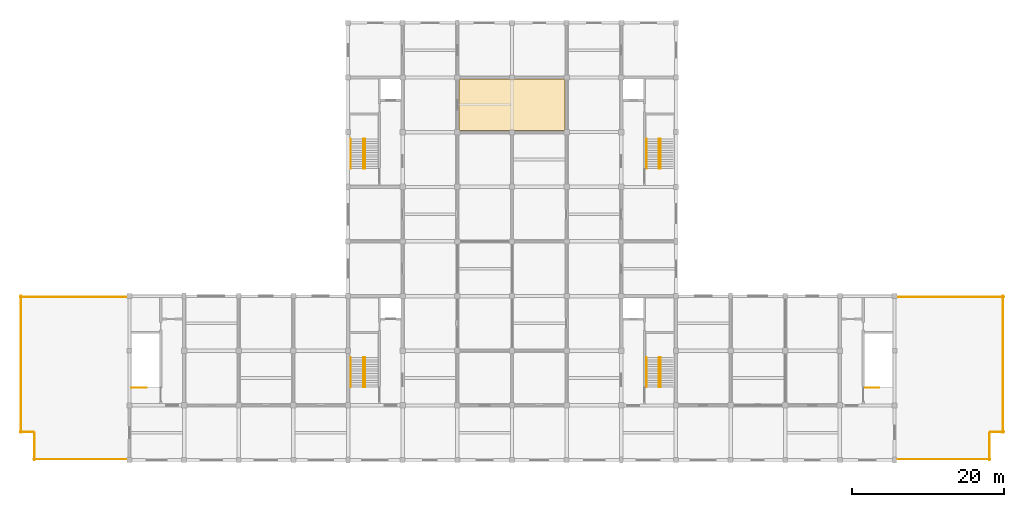
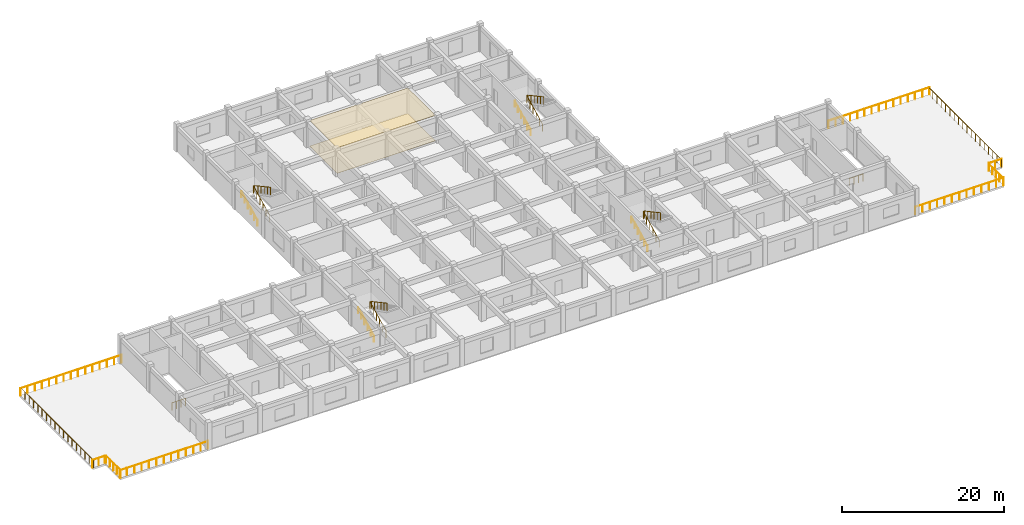
# One storey, part 10 of 10: 20 railings, 2 coverings.
"""IFC4 building model written with IfcOpenShell, lengths in metres."""

from ifc_helpers import new_model, si_unit, direction, frame, origin, origin_2d, place, context, subcontext, project, spatial, polyline, circle, outline, extrude, material, layer, layer_set, type_object, element, save


model = new_model("IFC4")

# Units and contexts
model_context = context("Model", 3, precision=1e-05, world=origin(), true_north=direction((0.0, 1.0)))
body_context = subcontext(model_context, "Body", "Model", "MODEL_VIEW")
ifc_project = project(units=[si_unit("LENGTHUNIT", "METRE"), si_unit("AREAUNIT", "SQUARE_METRE"), si_unit("VOLUMEUNIT", "CUBIC_METRE"), si_unit("PLANEANGLEUNIT", "RADIAN"), si_unit("MASSUNIT", "GRAM", prefix="KILO")], contexts=[model_context])

# Site, building, storey
site_placement = place(None, origin())
site = spatial("IfcSite", under=ifc_project, at=site_placement, CompositionType="ELEMENT")
building_placement = place(site_placement, origin())
building = spatial("IfcBuilding", under=site, at=building_placement, Name="Cendaluz Park School", CompositionType="ELEMENT")
storey_placement = place(building_placement, frame((0.0, 0.0, 30.60009765625)))
storey = spatial("IfcBuildingStorey", under=building, at=storey_placement, Name="L07", CompositionType="ELEMENT", Elevation=30.60009765625)

# Coverings
ifc_material_1 = material(Name="Mineral Fibre Acoustic Tile")
ifc_layer_1 = layer(ifc_material_1, 0.030029296875)
ifc_layer_set_1 = layer_set([ifc_layer_1], Name="Mineral Fibre Acoustic Tile")
covering_type_1 = type_object("IfcCoveringType", Name="CV-CLG01", PredefinedType="CEILING", material=ifc_layer_set_1)
covering_1_placement = place(storey_placement, frame((0.0, 0.0, 3.849853515625)))
element("IfcCovering", 1, at=covering_1_placement, inside=storey, type_object=covering_type_1, Name="CV-CLG-L07-01", PredefinedType="CEILING", context=body_context, shape_type="SweptSolid", body=[
    extrude(outline(polyline([(79.39990234375, 50.60009765625), (93.39990234375, 50.60009765625), (93.39990234375, 57.39990234375), (79.39990234375, 57.39990234375), (79.39990234375, 50.60009765625)])), origin(), (0.0, 0.0, 1.0), 0.030029296875),
])
ifc_material_2 = material(Name="Polished Terrazzo Tile")
ifc_layer_2 = layer(ifc_material_2, 0.02001953125)
ifc_layer_set_2 = layer_set([ifc_layer_2], Name="Polished Terrazzo Tile")
covering_type_2 = type_object("IfcCoveringType", Name="CV-FLR01", PredefinedType="FLOORING", material=ifc_layer_set_2)
covering_2_placement = place(storey_placement, origin())
element("IfcCovering", 2, at=covering_2_placement, inside=storey, type_object=covering_type_2, Name="CV-FLR-L07-01", PredefinedType="FLOORING", context=body_context, shape_type="SweptSolid", body=[
    extrude(outline(polyline([(79.39990234375, 50.60009765625), (93.39990234375, 50.60009765625), (93.39990234375, 57.39990234375), (79.39990234375, 57.39990234375), (79.39990234375, 50.60009765625)])), origin(), (0.0, 0.0, 1.0), 0.02001953125),
])

# Railings
ifc_material_3 = material(Name="Wrought Iron")
railing_type_1 = type_object("IfcRailingType", Name="GR-PD01", PredefinedType="BALUSTRADE", material=ifc_material_3)
railing_1_placement = place(storey_placement, frame((21.60009765625, 28.699951171875, 0.0)))
element("IfcRailing", 3, at=railing_1_placement, inside=storey, type_object=railing_type_1, Name="GR-PD-L07-011", PredefinedType="BALUSTRADE", context=body_context, shape_type="SweptSolid", body=[
    extrude(circle(Radius=0.02392578125, at=origin_2d()), frame((0.0, 0.0, 1.1259765625), z_axis=(1.0, 0.0, 0.0), x_axis=(0.0, 1.0, 0.0)), (0.0, 0.0, 1.0), 14.39990234375),
    extrude(circle(Radius=0.02099609375, at=origin_2d()), origin(), (0.0, 0.0, 1.0), 1.101806640625),
    extrude(circle(Radius=0.02099609375, at=origin_2d()), frame((1.028564453125, 0.0, 0.0)), (0.0, 0.0, 1.0), 1.101806640625),
    extrude(circle(Radius=0.02099609375, at=origin_2d()), frame((2.05712890625, 0.0, 0.0)), (0.0, 0.0, 1.0), 1.101806640625),
    extrude(circle(Radius=0.02099609375, at=origin_2d()), frame((3.085693359375, 0.0, 0.0)), (0.0, 0.0, 1.0), 1.101806640625),
    extrude(circle(Radius=0.02099609375, at=origin_2d()), frame((4.1142578125, 0.0, 0.0)), (0.0, 0.0, 1.0), 1.101806640625),
    extrude(circle(Radius=0.02099609375, at=origin_2d()), frame((5.142822265625, 0.0, 0.0)), (0.0, 0.0, 1.0), 1.101806640625),
    extrude(circle(Radius=0.02099609375, at=origin_2d()), frame((6.17138671875, 0.0, 0.0)), (0.0, 0.0, 1.0), 1.101806640625),
    extrude(circle(Radius=0.02099609375, at=origin_2d()), frame((7.199951171875, 0.0, 0.0)), (0.0, 0.0, 1.0), 1.101806640625),
    extrude(circle(Radius=0.02099609375, at=origin_2d()), frame((8.228515625, 0.0, 0.0)), (0.0, 0.0, 1.0), 1.101806640625),
    extrude(circle(Radius=0.02099609375, at=origin_2d()), frame((9.257080078125, 0.0, 0.0)), (0.0, 0.0, 1.0), 1.101806640625),
    extrude(circle(Radius=0.02099609375, at=origin_2d()), frame((10.28564453125, 0.0, 0.0)), (0.0, 0.0, 1.0), 1.101806640625),
    extrude(circle(Radius=0.02099609375, at=origin_2d()), frame((11.314208984375, 0.0, 0.0)), (0.0, 0.0, 1.0), 1.101806640625),
    extrude(circle(Radius=0.02099609375, at=origin_2d()), frame((12.3427734375, 0.0, 0.0)), (0.0, 0.0, 1.0), 1.101806640625),
    extrude(circle(Radius=0.02099609375, at=origin_2d()), frame((13.371337890625, 0.0, 0.0)), (0.0, 0.0, 1.0), 1.101806640625),
    extrude(circle(Radius=0.02099609375, at=origin_2d()), frame((14.39990234375, 0.0, 0.0)), (0.0, 0.0, 1.0), 1.101806640625),
])
railing_2_placement = place(storey_placement, frame((36.0, 7.300048828125, 0.0)))
element("IfcRailing", 4, at=railing_2_placement, inside=storey, type_object=railing_type_1, Name="GR-PD-L07-012", PredefinedType="BALUSTRADE", context=body_context, shape_type="SweptSolid", body=[
    extrude(circle(Radius=0.02392578125, at=origin_2d()), frame((0.0, 0.0, 1.1259765625), z_axis=(-1.0, 0.0, 0.0), x_axis=(0.0, -1.0, 0.0)), (0.0, 0.0, 1.0), 12.60009765625),
    extrude(circle(Radius=0.02099609375, at=origin_2d()), origin(), (0.0, 0.0, 1.0), 1.101806640625),
    extrude(circle(Radius=0.02099609375, at=origin_2d()), frame((-1.050048828125, 0.0, 0.0)), (0.0, 0.0, 1.0), 1.101806640625),
    extrude(circle(Radius=0.02099609375, at=origin_2d()), frame((-2.10009765625, 0.0, 0.0)), (0.0, 0.0, 1.0), 1.101806640625),
    extrude(circle(Radius=0.02099609375, at=origin_2d()), frame((-3.14990234375, 0.0, 0.0)), (0.0, 0.0, 1.0), 1.101806640625),
    extrude(circle(Radius=0.02099609375, at=origin_2d()), frame((-4.199951171875, 0.0, 0.0)), (0.0, 0.0, 1.0), 1.101806640625),
    extrude(circle(Radius=0.02099609375, at=origin_2d()), frame((-5.25, 0.0, 0.0)), (0.0, 0.0, 1.0), 1.101806640625),
    extrude(circle(Radius=0.02099609375, at=origin_2d()), frame((-6.300048828125, 0.0, 0.0)), (0.0, 0.0, 1.0), 1.101806640625),
    extrude(circle(Radius=0.02099609375, at=origin_2d()), frame((-7.35009765625, 0.0, 0.0)), (0.0, 0.0, 1.0), 1.101806640625),
    extrude(circle(Radius=0.02099609375, at=origin_2d()), frame((-8.400146484375, 0.0, 0.0)), (0.0, 0.0, 1.0), 1.101806640625),
    extrude(circle(Radius=0.02099609375, at=origin_2d()), frame((-9.4501953125, 0.0, 0.0)), (0.0, 0.0, 1.0), 1.101806640625),
    extrude(circle(Radius=0.02099609375, at=origin_2d()), frame((-10.5, 0.0, 0.0)), (0.0, 0.0, 1.0), 1.101806640625),
    extrude(circle(Radius=0.02099609375, at=origin_2d()), frame((-11.550048828125, 0.0, 0.0)), (0.0, 0.0, 1.0), 1.101806640625),
    extrude(circle(Radius=0.02099609375, at=origin_2d()), frame((-12.60009765625, 0.0, 0.0)), (0.0, 0.0, 1.0), 1.101806640625),
])
railing_3_placement = place(storey_placement, frame((23.5, 7.199951171875, 0.0)))
element("IfcRailing", 5, at=railing_3_placement, inside=storey, type_object=railing_type_1, Name="GR-PD-L07-013", PredefinedType="BALUSTRADE", context=body_context, shape_type="SweptSolid", body=[
    extrude(circle(Radius=0.02392578125, at=origin_2d()), frame((0.0, 0.0, 1.1259765625), z_axis=(0.0, 1.0, 0.0), x_axis=(-1.0, 0.0, 0.0)), (0.0, 0.0, 1.0), 3.60009765625),
    extrude(circle(Radius=0.02099609375, at=origin_2d()), origin(), (0.0, 0.0, 1.0), 1.101806640625),
    extrude(circle(Radius=0.02099609375, at=origin_2d()), frame((0.0, 0.89990234375, 0.0)), (0.0, 0.0, 1.0), 1.101806640625),
    extrude(circle(Radius=0.02099609375, at=origin_2d()), frame((0.0, 1.800048828125, 0.0)), (0.0, 0.0, 1.0), 1.101806640625),
    extrude(circle(Radius=0.02099609375, at=origin_2d()), frame((0.0, 2.7001953125, 0.0)), (0.0, 0.0, 1.0), 1.101806640625),
    extrude(circle(Radius=0.02099609375, at=origin_2d()), frame((0.0, 3.60009765625, 0.0)), (0.0, 0.0, 1.0), 1.101806640625),
])
railing_4_placement = place(storey_placement, frame((23.39990234375, 10.89990234375, 0.0)))
element("IfcRailing", 6, at=railing_4_placement, inside=storey, type_object=railing_type_1, Name="GR-PD-L07-014", PredefinedType="BALUSTRADE", context=body_context, shape_type="SweptSolid", body=[
    extrude(circle(Radius=0.02392578125, at=origin_2d()), frame((0.0, 0.0, 1.1259765625), z_axis=(-1.0, 0.0, 0.0), x_axis=(0.0, -1.0, 0.0)), (0.0, 0.0, 1.0), 1.7998046875),
    extrude(circle(Radius=0.02099609375, at=origin_2d()), origin(), (0.0, 0.0, 1.0), 1.101806640625),
    extrude(circle(Radius=0.02099609375, at=origin_2d()), frame((-0.89990234375, 0.0, 0.0)), (0.0, 0.0, 1.0), 1.101806640625),
    extrude(circle(Radius=0.02099609375, at=origin_2d()), frame((-1.7998046875, 0.0, 0.0)), (0.0, 0.0, 1.0), 1.101806640625),
])
railing_5_placement = place(storey_placement, frame((21.699951171875, 10.800048828125, 0.0)))
element("IfcRailing", 7, at=railing_5_placement, inside=storey, type_object=railing_type_1, Name="GR-PD-L07-015", PredefinedType="BALUSTRADE", context=body_context, shape_type="SweptSolid", body=[
    extrude(circle(Radius=0.02392578125, at=origin_2d()), frame((0.0, 0.0, 1.1259765625), z_axis=(0.0, 1.0, 0.0), x_axis=(-1.0, 0.0, 0.0)), (0.0, 0.0, 1.0), 18.0),
    extrude(circle(Radius=0.02099609375, at=origin_2d()), origin(), (0.0, 0.0, 1.0), 1.101806640625),
    extrude(circle(Radius=0.02099609375, at=origin_2d()), frame((0.0, 1.058837890625, 0.0)), (0.0, 0.0, 1.0), 1.101806640625),
    extrude(circle(Radius=0.02099609375, at=origin_2d()), frame((0.0, 2.11767578125, 0.0)), (0.0, 0.0, 1.0), 1.101806640625),
    extrude(circle(Radius=0.02099609375, at=origin_2d()), frame((0.0, 3.176513671875, 0.0)), (0.0, 0.0, 1.0), 1.101806640625),
    extrude(circle(Radius=0.02099609375, at=origin_2d()), frame((0.0, 4.2353515625, 0.0)), (0.0, 0.0, 1.0), 1.101806640625),
    extrude(circle(Radius=0.02099609375, at=origin_2d()), frame((0.0, 5.294189453125, 0.0)), (0.0, 0.0, 1.0), 1.101806640625),
    extrude(circle(Radius=0.02099609375, at=origin_2d()), frame((0.0, 6.35302734375, 0.0)), (0.0, 0.0, 1.0), 1.101806640625),
    extrude(circle(Radius=0.02099609375, at=origin_2d()), frame((0.0, 7.411865234375, 0.0)), (0.0, 0.0, 1.0), 1.101806640625),
    extrude(circle(Radius=0.02099609375, at=origin_2d()), frame((0.0, 8.470703125, 0.0)), (0.0, 0.0, 1.0), 1.101806640625),
    extrude(circle(Radius=0.02099609375, at=origin_2d()), frame((0.0, 9.529296875, 0.0)), (0.0, 0.0, 1.0), 1.101806640625),
    extrude(circle(Radius=0.02099609375, at=origin_2d()), frame((0.0, 10.588134765625, 0.0)), (0.0, 0.0, 1.0), 1.101806640625),
    extrude(circle(Radius=0.02099609375, at=origin_2d()), frame((0.0, 11.64697265625, 0.0)), (0.0, 0.0, 1.0), 1.101806640625),
    extrude(circle(Radius=0.02099609375, at=origin_2d()), frame((0.0, 12.705810546875, 0.0)), (0.0, 0.0, 1.0), 1.101806640625),
    extrude(circle(Radius=0.02099609375, at=origin_2d()), frame((0.0, 13.7646484375, 0.0)), (0.0, 0.0, 1.0), 1.101806640625),
    extrude(circle(Radius=0.02099609375, at=origin_2d()), frame((0.0, 14.823486328125, 0.0)), (0.0, 0.0, 1.0), 1.101806640625),
    extrude(circle(Radius=0.02099609375, at=origin_2d()), frame((0.0, 15.88232421875, 0.0)), (0.0, 0.0, 1.0), 1.101806640625),
    extrude(circle(Radius=0.02099609375, at=origin_2d()), frame((0.0, 16.941162109375, 0.0)), (0.0, 0.0, 1.0), 1.101806640625),
    extrude(circle(Radius=0.02099609375, at=origin_2d()), frame((0.0, 18.0, 0.0)), (0.0, 0.0, 1.0), 1.101806640625),
])
railing_6_placement = place(storey_placement, frame((136.800048828125, 28.699951171875, 0.0)))
element("IfcRailing", 8, at=railing_6_placement, inside=storey, type_object=railing_type_1, Name="GR-PD-L07-016", PredefinedType="BALUSTRADE", context=body_context, shape_type="SweptSolid", body=[
    extrude(circle(Radius=0.02392578125, at=origin_2d()), frame((0.0, 0.0, 1.1259765625), z_axis=(1.0, 0.0, 0.0), x_axis=(0.0, 1.0, 0.0)), (0.0, 0.0, 1.0), 14.39990234375),
    extrude(circle(Radius=0.02099609375, at=origin_2d()), origin(), (0.0, 0.0, 1.0), 1.101806640625),
    extrude(circle(Radius=0.02099609375, at=origin_2d()), frame((1.028564453125, 0.0, 0.0)), (0.0, 0.0, 1.0), 1.101806640625),
    extrude(circle(Radius=0.02099609375, at=origin_2d()), frame((2.05712890625, 0.0, 0.0)), (0.0, 0.0, 1.0), 1.101806640625),
    extrude(circle(Radius=0.02099609375, at=origin_2d()), frame((3.085693359375, 0.0, 0.0)), (0.0, 0.0, 1.0), 1.101806640625),
    extrude(circle(Radius=0.02099609375, at=origin_2d()), frame((4.1142578125, 0.0, 0.0)), (0.0, 0.0, 1.0), 1.101806640625),
    extrude(circle(Radius=0.02099609375, at=origin_2d()), frame((5.142822265625, 0.0, 0.0)), (0.0, 0.0, 1.0), 1.101806640625),
    extrude(circle(Radius=0.02099609375, at=origin_2d()), frame((6.17138671875, 0.0, 0.0)), (0.0, 0.0, 1.0), 1.101806640625),
    extrude(circle(Radius=0.02099609375, at=origin_2d()), frame((7.199951171875, 0.0, 0.0)), (0.0, 0.0, 1.0), 1.101806640625),
    extrude(circle(Radius=0.02099609375, at=origin_2d()), frame((8.228515625, 0.0, 0.0)), (0.0, 0.0, 1.0), 1.101806640625),
    extrude(circle(Radius=0.02099609375, at=origin_2d()), frame((9.257080078125, 0.0, 0.0)), (0.0, 0.0, 1.0), 1.101806640625),
    extrude(circle(Radius=0.02099609375, at=origin_2d()), frame((10.28564453125, 0.0, 0.0)), (0.0, 0.0, 1.0), 1.101806640625),
    extrude(circle(Radius=0.02099609375, at=origin_2d()), frame((11.314208984375, 0.0, 0.0)), (0.0, 0.0, 1.0), 1.101806640625),
    extrude(circle(Radius=0.02099609375, at=origin_2d()), frame((12.3427734375, 0.0, 0.0)), (0.0, 0.0, 1.0), 1.101806640625),
    extrude(circle(Radius=0.02099609375, at=origin_2d()), frame((13.371337890625, 0.0, 0.0)), (0.0, 0.0, 1.0), 1.101806640625),
    extrude(circle(Radius=0.02099609375, at=origin_2d()), frame((14.39990234375, 0.0, 0.0)), (0.0, 0.0, 1.0), 1.101806640625),
])
railing_7_placement = place(storey_placement, frame((151.10009765625, 28.800048828125, 0.0)))
element("IfcRailing", 9, at=railing_7_placement, inside=storey, type_object=railing_type_1, Name="GR-PD-L07-017", PredefinedType="BALUSTRADE", context=body_context, shape_type="SweptSolid", body=[
    extrude(circle(Radius=0.02392578125, at=origin_2d()), frame((0.0, 0.0, 1.1259765625), z_axis=(0.0, -1.0, 0.0), x_axis=(1.0, 0.0, 0.0)), (0.0, 0.0, 1.0), 18.0),
    extrude(circle(Radius=0.02099609375, at=origin_2d()), origin(), (0.0, 0.0, 1.0), 1.101806640625),
    extrude(circle(Radius=0.02099609375, at=origin_2d()), frame((0.0, -1.058837890625, 0.0)), (0.0, 0.0, 1.0), 1.101806640625),
    extrude(circle(Radius=0.02099609375, at=origin_2d()), frame((0.0, -2.11767578125, 0.0)), (0.0, 0.0, 1.0), 1.101806640625),
    extrude(circle(Radius=0.02099609375, at=origin_2d()), frame((0.0, -3.176513671875, 0.0)), (0.0, 0.0, 1.0), 1.101806640625),
    extrude(circle(Radius=0.02099609375, at=origin_2d()), frame((0.0, -4.2353515625, 0.0)), (0.0, 0.0, 1.0), 1.101806640625),
    extrude(circle(Radius=0.02099609375, at=origin_2d()), frame((0.0, -5.294189453125, 0.0)), (0.0, 0.0, 1.0), 1.101806640625),
    extrude(circle(Radius=0.02099609375, at=origin_2d()), frame((0.0, -6.35302734375, 0.0)), (0.0, 0.0, 1.0), 1.101806640625),
    extrude(circle(Radius=0.02099609375, at=origin_2d()), frame((0.0, -7.411865234375, 0.0)), (0.0, 0.0, 1.0), 1.101806640625),
    extrude(circle(Radius=0.02099609375, at=origin_2d()), frame((0.0, -8.470703125, 0.0)), (0.0, 0.0, 1.0), 1.101806640625),
    extrude(circle(Radius=0.02099609375, at=origin_2d()), frame((0.0, -9.529296875, 0.0)), (0.0, 0.0, 1.0), 1.101806640625),
    extrude(circle(Radius=0.02099609375, at=origin_2d()), frame((0.0, -10.588134765625, 0.0)), (0.0, 0.0, 1.0), 1.101806640625),
    extrude(circle(Radius=0.02099609375, at=origin_2d()), frame((0.0, -11.64697265625, 0.0)), (0.0, 0.0, 1.0), 1.101806640625),
    extrude(circle(Radius=0.02099609375, at=origin_2d()), frame((0.0, -12.705810546875, 0.0)), (0.0, 0.0, 1.0), 1.101806640625),
    extrude(circle(Radius=0.02099609375, at=origin_2d()), frame((0.0, -13.7646484375, 0.0)), (0.0, 0.0, 1.0), 1.101806640625),
    extrude(circle(Radius=0.02099609375, at=origin_2d()), frame((0.0, -14.823486328125, 0.0)), (0.0, 0.0, 1.0), 1.101806640625),
    extrude(circle(Radius=0.02099609375, at=origin_2d()), frame((0.0, -15.88232421875, 0.0)), (0.0, 0.0, 1.0), 1.101806640625),
    extrude(circle(Radius=0.02099609375, at=origin_2d()), frame((0.0, -16.941162109375, 0.0)), (0.0, 0.0, 1.0), 1.101806640625),
    extrude(circle(Radius=0.02099609375, at=origin_2d()), frame((0.0, -18.0, 0.0)), (0.0, 0.0, 1.0), 1.101806640625),
])
railing_8_placement = place(storey_placement, frame((151.199951171875, 10.89990234375, 0.0)))
element("IfcRailing", 10, at=railing_8_placement, inside=storey, type_object=railing_type_1, Name="GR-PD-L07-018", PredefinedType="BALUSTRADE", context=body_context, shape_type="SweptSolid", body=[
    extrude(circle(Radius=0.02392578125, at=origin_2d()), frame((0.0, 0.0, 1.1259765625), z_axis=(-1.0, 0.0, 0.0), x_axis=(0.0, -1.0, 0.0)), (0.0, 0.0, 1.0), 1.800048828125),
    extrude(circle(Radius=0.02099609375, at=origin_2d()), origin(), (0.0, 0.0, 1.0), 1.101806640625),
    extrude(circle(Radius=0.02099609375, at=origin_2d()), frame((-0.89990234375, 0.0, 0.0)), (0.0, 0.0, 1.0), 1.101806640625),
    extrude(circle(Radius=0.02099609375, at=origin_2d()), frame((-1.800048828125, 0.0, 0.0)), (0.0, 0.0, 1.0), 1.101806640625),
])
railing_9_placement = place(storey_placement, frame((149.300048828125, 10.800048828125, 0.0)))
element("IfcRailing", 11, at=railing_9_placement, inside=storey, type_object=railing_type_1, Name="GR-PD-L07-019", PredefinedType="BALUSTRADE", context=body_context, shape_type="SweptSolid", body=[
    extrude(circle(Radius=0.02392578125, at=origin_2d()), frame((0.0, 0.0, 1.1259765625), z_axis=(0.0, -1.0, 0.0), x_axis=(1.0, 0.0, 0.0)), (0.0, 0.0, 1.0), 3.60009765625),
    extrude(circle(Radius=0.02099609375, at=origin_2d()), origin(), (0.0, 0.0, 1.0), 1.101806640625),
    extrude(circle(Radius=0.02099609375, at=origin_2d()), frame((0.0, -0.89990234375, 0.0)), (0.0, 0.0, 1.0), 1.101806640625),
    extrude(circle(Radius=0.02099609375, at=origin_2d()), frame((0.0, -1.800048828125, 0.0)), (0.0, 0.0, 1.0), 1.101806640625),
    extrude(circle(Radius=0.02099609375, at=origin_2d()), frame((0.0, -2.7001953125, 0.0)), (0.0, 0.0, 1.0), 1.101806640625),
    extrude(circle(Radius=0.02099609375, at=origin_2d()), frame((0.0, -3.60009765625, 0.0)), (0.0, 0.0, 1.0), 1.101806640625),
])
railing_10_placement = place(storey_placement, frame((149.39990234375, 7.300048828125, 0.0)))
element("IfcRailing", 12, at=railing_10_placement, inside=storey, type_object=railing_type_1, Name="GR-PD-L07-020", PredefinedType="BALUSTRADE", context=body_context, shape_type="SweptSolid", body=[
    extrude(circle(Radius=0.02392578125, at=origin_2d()), frame((0.0, 0.0, 1.1259765625), z_axis=(-1.0, 0.0, 0.0), x_axis=(0.0, -1.0, 0.0)), (0.0, 0.0, 1.0), 12.599853515625),
    extrude(circle(Radius=0.02099609375, at=origin_2d()), origin(), (0.0, 0.0, 1.0), 1.101806640625),
    extrude(circle(Radius=0.02099609375, at=origin_2d()), frame((-1.050048828125, 0.0, 0.0)), (0.0, 0.0, 1.0), 1.101806640625),
    extrude(circle(Radius=0.02099609375, at=origin_2d()), frame((-2.10009765625, 0.0, 0.0)), (0.0, 0.0, 1.0), 1.101806640625),
    extrude(circle(Radius=0.02099609375, at=origin_2d()), frame((-3.14990234375, 0.0, 0.0)), (0.0, 0.0, 1.0), 1.101806640625),
    extrude(circle(Radius=0.02099609375, at=origin_2d()), frame((-4.199951171875, 0.0, 0.0)), (0.0, 0.0, 1.0), 1.101806640625),
    extrude(circle(Radius=0.02099609375, at=origin_2d()), frame((-5.25, 0.0, 0.0)), (0.0, 0.0, 1.0), 1.101806640625),
    extrude(circle(Radius=0.02099609375, at=origin_2d()), frame((-6.2998046875, 0.0, 0.0)), (0.0, 0.0, 1.0), 1.101806640625),
    extrude(circle(Radius=0.02099609375, at=origin_2d()), frame((-7.349853515625, 0.0, 0.0)), (0.0, 0.0, 1.0), 1.101806640625),
    extrude(circle(Radius=0.02099609375, at=origin_2d()), frame((-8.39990234375, 0.0, 0.0)), (0.0, 0.0, 1.0), 1.101806640625),
    extrude(circle(Radius=0.02099609375, at=origin_2d()), frame((-9.449951171875, 0.0, 0.0)), (0.0, 0.0, 1.0), 1.101806640625),
    extrude(circle(Radius=0.02099609375, at=origin_2d()), frame((-10.5, 0.0, 0.0)), (0.0, 0.0, 1.0), 1.101806640625),
    extrude(circle(Radius=0.02099609375, at=origin_2d()), frame((-11.5498046875, 0.0, 0.0)), (0.0, 0.0, 1.0), 1.101806640625),
    extrude(circle(Radius=0.02099609375, at=origin_2d()), frame((-12.599853515625, 0.0, 0.0)), (0.0, 0.0, 1.0), 1.101806640625),
])
railing_type_2 = type_object("IfcRailingType", Name="GR-ST01", PredefinedType="BALUSTRADE", material=ifc_material_3)
railing_11_placement = place(storey_placement, frame((66.840087890625, 16.800048828125, 0.14990234375)))
element("IfcRailing", 13, at=railing_11_placement, inside=storey, type_object=railing_type_2, Name="GR-ST-017", PredefinedType="BALUSTRADE", context=body_context, shape_type="SweptSolid", body=[
    extrude(circle(Radius=0.02392578125, at=origin_2d()), frame((0.0, 0.0, 1.076171875), z_axis=(0.0, 0.894427191, 0.4472135955), x_axis=(-1.0, 0.0, 0.0)), (0.0, 0.0, 1.0), 4.360107421875),
    extrude(circle(Radius=0.02392578125, at=origin_2d()), frame((0.0, 3.89990234375, 3.02587890625), z_axis=(1.0, 0.0, 0.0), x_axis=(0.0, 1.0, 0.0)), (0.0, 0.0, 1.0), 0.169921875),
    extrude(circle(Radius=0.02392578125, at=origin_2d()), frame((0.169921875, 3.89990234375, 3.02587890625), z_axis=(0.0, -0.880456940745, 0.474126117709), x_axis=(1.0, 0.0, 0.0)), (0.0, 0.0, 1.0), 4.429443359375),
    extrude(circle(Radius=0.02099609375, at=origin_2d()), origin(), (0.0, 0.0, 1.0), 1.052001953125),
    extrude(circle(Radius=0.02099609375, at=origin_2d()), frame((0.0, 0.780029296875, 0.389892578125)), (0.0, 0.0, 1.0), 1.052001953125),
    extrude(circle(Radius=0.02099609375, at=origin_2d()), frame((0.0, 1.56005859375, 0.780029296875)), (0.0, 0.0, 1.0), 1.052001953125),
    extrude(circle(Radius=0.02099609375, at=origin_2d()), frame((0.0, 2.33984375, 1.169921875)), (0.0, 0.0, 1.0), 1.052001953125),
    extrude(circle(Radius=0.02099609375, at=origin_2d()), frame((0.0, 3.119873046875, 1.56005859375)), (0.0, 0.0, 1.0), 1.052001953125),
    extrude(circle(Radius=0.02099609375, at=origin_2d()), frame((0.0, 3.89990234375, 1.949951171875)), (0.0, 0.0, 1.0), 1.052001953125),
    extrude(circle(Radius=0.02099609375, at=origin_2d()), frame((0.169921875, 3.89990234375, 1.949951171875)), (0.0, 0.0, 1.0), 1.052001953125),
    extrude(circle(Radius=0.02099609375, at=origin_2d()), frame((0.169921875, 3.119873046875, 2.369873046875)), (0.0, 0.0, 1.0), 1.052001953125),
    extrude(circle(Radius=0.02099609375, at=origin_2d()), frame((0.169921875, 2.33984375, 2.7900390625)), (0.0, 0.0, 1.0), 1.052001953125),
    extrude(circle(Radius=0.02099609375, at=origin_2d()), frame((0.169921875, 1.56005859375, 3.2099609375)), (0.0, 0.0, 1.0), 1.052001953125),
    extrude(circle(Radius=0.02099609375, at=origin_2d()), frame((0.169921875, 0.780029296875, 3.630126953125)), (0.0, 0.0, 1.0), 1.052001953125),
    extrude(circle(Radius=0.02099609375, at=origin_2d()), frame((0.169921875, 0.0, 4.050048828125)), (0.0, 0.0, 1.0), 1.052001953125),
])
railing_12_placement = place(storey_placement, frame((105.7900390625, 16.800048828125, 0.14990234375)))
element("IfcRailing", 14, at=railing_12_placement, inside=storey, type_object=railing_type_2, Name="GR-ST-052", PredefinedType="BALUSTRADE", context=body_context, shape_type="SweptSolid", body=[
    extrude(circle(Radius=0.02392578125, at=origin_2d()), frame((0.0, 0.0, 1.076171875), z_axis=(0.0, 0.894427191, 0.4472135955), x_axis=(-1.0, 0.0, 0.0)), (0.0, 0.0, 1.0), 4.360107421875),
    extrude(circle(Radius=0.02392578125, at=origin_2d()), frame((0.0, 3.89990234375, 3.02587890625), z_axis=(1.0, 0.0, 0.0), x_axis=(0.0, 1.0, 0.0)), (0.0, 0.0, 1.0), 0.169921875),
    extrude(circle(Radius=0.02392578125, at=origin_2d()), frame((0.169921875, 3.89990234375, 3.02587890625), z_axis=(0.0, -0.880456940745, 0.474126117709), x_axis=(1.0, 0.0, 0.0)), (0.0, 0.0, 1.0), 4.429443359375),
    extrude(circle(Radius=0.02099609375, at=origin_2d()), origin(), (0.0, 0.0, 1.0), 1.052001953125),
    extrude(circle(Radius=0.02099609375, at=origin_2d()), frame((0.0, 0.780029296875, 0.389892578125)), (0.0, 0.0, 1.0), 1.052001953125),
    extrude(circle(Radius=0.02099609375, at=origin_2d()), frame((0.0, 1.56005859375, 0.780029296875)), (0.0, 0.0, 1.0), 1.052001953125),
    extrude(circle(Radius=0.02099609375, at=origin_2d()), frame((0.0, 2.33984375, 1.169921875)), (0.0, 0.0, 1.0), 1.052001953125),
    extrude(circle(Radius=0.02099609375, at=origin_2d()), frame((0.0, 3.119873046875, 1.56005859375)), (0.0, 0.0, 1.0), 1.052001953125),
    extrude(circle(Radius=0.02099609375, at=origin_2d()), frame((0.0, 3.89990234375, 1.949951171875)), (0.0, 0.0, 1.0), 1.052001953125),
    extrude(circle(Radius=0.02099609375, at=origin_2d()), frame((0.169921875, 3.89990234375, 1.949951171875)), (0.0, 0.0, 1.0), 1.052001953125),
    extrude(circle(Radius=0.02099609375, at=origin_2d()), frame((0.169921875, 3.119873046875, 2.369873046875)), (0.0, 0.0, 1.0), 1.052001953125),
    extrude(circle(Radius=0.02099609375, at=origin_2d()), frame((0.169921875, 2.33984375, 2.7900390625)), (0.0, 0.0, 1.0), 1.052001953125),
    extrude(circle(Radius=0.02099609375, at=origin_2d()), frame((0.169921875, 1.56005859375, 3.2099609375)), (0.0, 0.0, 1.0), 1.052001953125),
    extrude(circle(Radius=0.02099609375, at=origin_2d()), frame((0.169921875, 0.780029296875, 3.630126953125)), (0.0, 0.0, 1.0), 1.052001953125),
    extrude(circle(Radius=0.02099609375, at=origin_2d()), frame((0.169921875, 0.0, 4.050048828125)), (0.0, 0.0, 1.0), 1.052001953125),
])
railing_13_placement = place(storey_placement, frame((66.840087890625, 45.60009765625, 0.14990234375)))
element("IfcRailing", 15, at=railing_13_placement, inside=storey, type_object=railing_type_2, Name="GR-ST-087", PredefinedType="BALUSTRADE", context=body_context, shape_type="SweptSolid", body=[
    extrude(circle(Radius=0.02392578125, at=origin_2d()), frame((0.0, 0.0, 1.076171875), z_axis=(0.0, 0.894427191, 0.4472135955), x_axis=(-1.0, 0.0, 0.0)), (0.0, 0.0, 1.0), 4.360107421875),
    extrude(circle(Radius=0.02392578125, at=origin_2d()), frame((0.0, 3.89990234375, 3.02587890625), z_axis=(1.0, 0.0, 0.0), x_axis=(0.0, 1.0, 0.0)), (0.0, 0.0, 1.0), 0.169921875),
    extrude(circle(Radius=0.02392578125, at=origin_2d()), frame((0.169921875, 3.89990234375, 3.02587890625), z_axis=(0.0, -0.880456940745, 0.474126117709), x_axis=(1.0, 0.0, 0.0)), (0.0, 0.0, 1.0), 4.429443359375),
    extrude(circle(Radius=0.02099609375, at=origin_2d()), origin(), (0.0, 0.0, 1.0), 1.052001953125),
    extrude(circle(Radius=0.02099609375, at=origin_2d()), frame((0.0, 0.780029296875, 0.389892578125)), (0.0, 0.0, 1.0), 1.052001953125),
    extrude(circle(Radius=0.02099609375, at=origin_2d()), frame((0.0, 1.56005859375, 0.780029296875)), (0.0, 0.0, 1.0), 1.052001953125),
    extrude(circle(Radius=0.02099609375, at=origin_2d()), frame((0.0, 2.33984375, 1.169921875)), (0.0, 0.0, 1.0), 1.052001953125),
    extrude(circle(Radius=0.02099609375, at=origin_2d()), frame((0.0, 3.119873046875, 1.56005859375)), (0.0, 0.0, 1.0), 1.052001953125),
    extrude(circle(Radius=0.02099609375, at=origin_2d()), frame((0.0, 3.89990234375, 1.949951171875)), (0.0, 0.0, 1.0), 1.052001953125),
    extrude(circle(Radius=0.02099609375, at=origin_2d()), frame((0.169921875, 3.89990234375, 1.949951171875)), (0.0, 0.0, 1.0), 1.052001953125),
    extrude(circle(Radius=0.02099609375, at=origin_2d()), frame((0.169921875, 3.119873046875, 2.369873046875)), (0.0, 0.0, 1.0), 1.052001953125),
    extrude(circle(Radius=0.02099609375, at=origin_2d()), frame((0.169921875, 2.33984375, 2.7900390625)), (0.0, 0.0, 1.0), 1.052001953125),
    extrude(circle(Radius=0.02099609375, at=origin_2d()), frame((0.169921875, 1.56005859375, 3.2099609375)), (0.0, 0.0, 1.0), 1.052001953125),
    extrude(circle(Radius=0.02099609375, at=origin_2d()), frame((0.169921875, 0.780029296875, 3.630126953125)), (0.0, 0.0, 1.0), 1.052001953125),
    extrude(circle(Radius=0.02099609375, at=origin_2d()), frame((0.169921875, 0.0, 4.050048828125)), (0.0, 0.0, 1.0), 1.052001953125),
])
railing_14_placement = place(storey_placement, frame((105.7900390625, 45.60009765625, 0.14990234375)))
element("IfcRailing", 16, at=railing_14_placement, inside=storey, type_object=railing_type_2, Name="GR-ST-122", PredefinedType="BALUSTRADE", context=body_context, shape_type="SweptSolid", body=[
    extrude(circle(Radius=0.02392578125, at=origin_2d()), frame((0.0, 0.0, 1.076171875), z_axis=(0.0, 0.894427191, 0.4472135955), x_axis=(-1.0, 0.0, 0.0)), (0.0, 0.0, 1.0), 4.360107421875),
    extrude(circle(Radius=0.02392578125, at=origin_2d()), frame((0.0, 3.89990234375, 3.02587890625), z_axis=(1.0, 0.0, 0.0), x_axis=(0.0, 1.0, 0.0)), (0.0, 0.0, 1.0), 0.169921875),
    extrude(circle(Radius=0.02392578125, at=origin_2d()), frame((0.169921875, 3.89990234375, 3.02587890625), z_axis=(0.0, -0.880456940745, 0.474126117709), x_axis=(1.0, 0.0, 0.0)), (0.0, 0.0, 1.0), 4.429443359375),
    extrude(circle(Radius=0.02099609375, at=origin_2d()), origin(), (0.0, 0.0, 1.0), 1.052001953125),
    extrude(circle(Radius=0.02099609375, at=origin_2d()), frame((0.0, 0.780029296875, 0.389892578125)), (0.0, 0.0, 1.0), 1.052001953125),
    extrude(circle(Radius=0.02099609375, at=origin_2d()), frame((0.0, 1.56005859375, 0.780029296875)), (0.0, 0.0, 1.0), 1.052001953125),
    extrude(circle(Radius=0.02099609375, at=origin_2d()), frame((0.0, 2.33984375, 1.169921875)), (0.0, 0.0, 1.0), 1.052001953125),
    extrude(circle(Radius=0.02099609375, at=origin_2d()), frame((0.0, 3.119873046875, 1.56005859375)), (0.0, 0.0, 1.0), 1.052001953125),
    extrude(circle(Radius=0.02099609375, at=origin_2d()), frame((0.0, 3.89990234375, 1.949951171875)), (0.0, 0.0, 1.0), 1.052001953125),
    extrude(circle(Radius=0.02099609375, at=origin_2d()), frame((0.169921875, 3.89990234375, 1.949951171875)), (0.0, 0.0, 1.0), 1.052001953125),
    extrude(circle(Radius=0.02099609375, at=origin_2d()), frame((0.169921875, 3.119873046875, 2.369873046875)), (0.0, 0.0, 1.0), 1.052001953125),
    extrude(circle(Radius=0.02099609375, at=origin_2d()), frame((0.169921875, 2.33984375, 2.7900390625)), (0.0, 0.0, 1.0), 1.052001953125),
    extrude(circle(Radius=0.02099609375, at=origin_2d()), frame((0.169921875, 1.56005859375, 3.2099609375)), (0.0, 0.0, 1.0), 1.052001953125),
    extrude(circle(Radius=0.02099609375, at=origin_2d()), frame((0.169921875, 0.780029296875, 3.630126953125)), (0.0, 0.0, 1.0), 1.052001953125),
    extrude(circle(Radius=0.02099609375, at=origin_2d()), frame((0.169921875, 0.0, 4.050048828125)), (0.0, 0.0, 1.0), 1.052001953125),
])
for number, where, name in (
    (17, (36.2900390625, 16.719970703125, 0.0), "GR-TOP-C5-L07"),
    (18, (132.840087890625, 16.719970703125, 0.0), "GR-TOP-C6-L07"),
):
    element("IfcRailing", number, at=place(storey_placement, frame(where)), inside=storey, type_object=railing_type_2, Name=name, PredefinedType="BALUSTRADE", context=body_context, shape_type="SweptSolid", body=[
        extrude(circle(Radius=0.02392578125, at=origin_2d()), frame((0.0, 0.0, 1.076171875), z_axis=(1.0, 0.0, 0.0), x_axis=(0.0, 1.0, 0.0)), (0.0, 0.0, 1.0), 1.949951171875),
        extrude(circle(Radius=0.02099609375, at=origin_2d()), origin(), (0.0, 0.0, 1.0), 1.052001953125),
        extrude(circle(Radius=0.02099609375, at=origin_2d()), frame((0.64990234375, 0.0, 0.0)), (0.0, 0.0, 1.0), 1.052001953125),
        extrude(circle(Radius=0.02099609375, at=origin_2d()), frame((1.300048828125, 0.0, 0.0)), (0.0, 0.0, 1.0), 1.052001953125),
        extrude(circle(Radius=0.02099609375, at=origin_2d()), frame((1.949951171875, 0.0, 0.0)), (0.0, 0.0, 1.0), 1.052001953125),
    ])
ifc_material_4 = material(Name="Architectural Bronze")
railing_type_3 = type_object("IfcRailingType", Name="HR-ST01", PredefinedType="HANDRAIL", material=ifc_material_4)
for number, where, name in (
    (19, (65.14990234375, 16.800048828125, 0.14990234375), "HR-ST-018"),
    (20, (104.10009765625, 16.800048828125, 0.14990234375), "HR-ST-053"),
    (21, (65.14990234375, 45.60009765625, 0.14990234375), "HR-ST-088"),
    (22, (104.10009765625, 45.60009765625, 0.14990234375), "HR-ST-123"),
):
    element("IfcRailing", number, at=place(storey_placement, frame(where)), inside=storey, type_object=railing_type_3, Name=name, PredefinedType="HANDRAIL", context=body_context, shape_type="SweptSolid", body=[
        extrude(circle(Radius=0.02392578125, at=origin_2d()), frame((0.0, 0.0, 0.8759765625), z_axis=(0.0, 0.894427191, 0.4472135955), x_axis=(-1.0, 0.0, 0.0)), (0.0, 0.0, 1.0), 4.360107421875),
        extrude(circle(Radius=0.02099609375, at=origin_2d()), origin(), (0.0, 0.0, 1.0), 0.851806640625),
        extrude(circle(Radius=0.02099609375, at=origin_2d()), frame((0.0, 0.780029296875, 0.389892578125)), (0.0, 0.0, 1.0), 0.851806640625),
        extrude(circle(Radius=0.02099609375, at=origin_2d()), frame((0.0, 1.56005859375, 0.780029296875)), (0.0, 0.0, 1.0), 0.851806640625),
        extrude(circle(Radius=0.02099609375, at=origin_2d()), frame((0.0, 2.33984375, 1.169921875)), (0.0, 0.0, 1.0), 0.851806640625),
        extrude(circle(Radius=0.02099609375, at=origin_2d()), frame((0.0, 3.119873046875, 1.56005859375)), (0.0, 0.0, 1.0), 0.851806640625),
        extrude(circle(Radius=0.02099609375, at=origin_2d()), frame((0.0, 3.89990234375, 1.949951171875)), (0.0, 0.0, 1.0), 0.851806640625),
    ])

save(model, "model.ifc")
